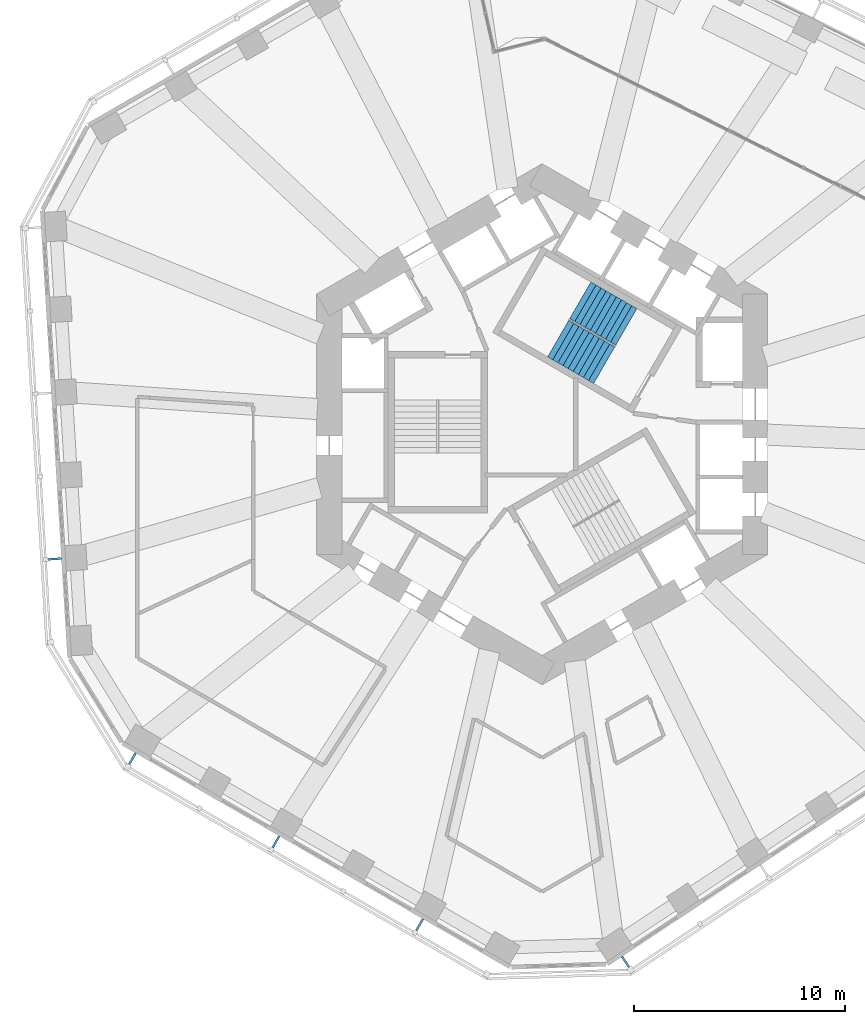
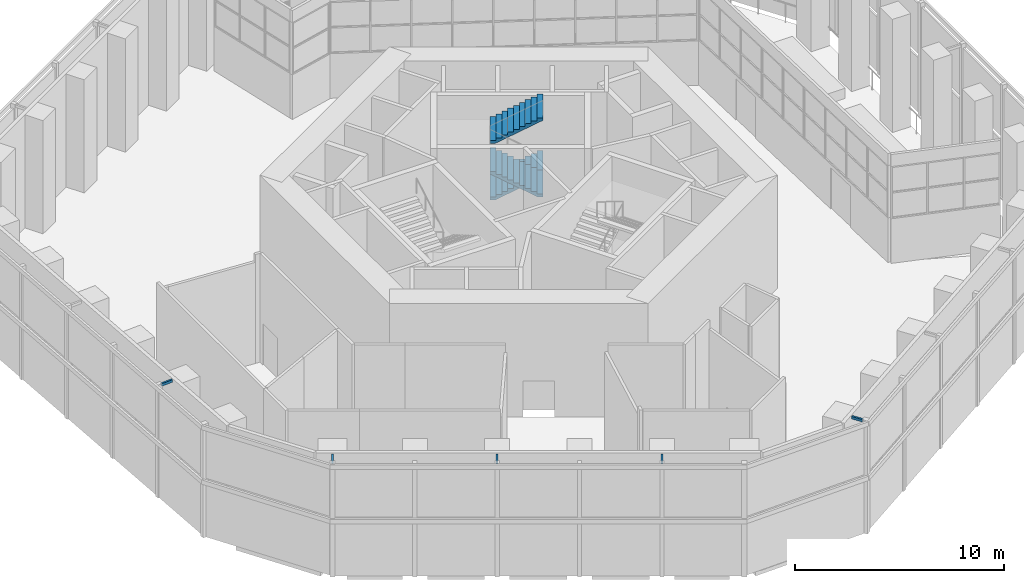
# One storey, part 13 of 17: 5 discrete accessories, 3 stair flights, 1 element without a shape of its own.
"""IFC4 building model written with IfcOpenShell, lengths in metres."""

from ifc_helpers import new_model, si_unit, direction, frame, origin, origin_2d, place, context, subcontext, project, spatial, rectangle, extrude, triangles, source, transform, mapped, material, type_object, element, aggregate, save


model = new_model("IFC4")

# Units and contexts
model_context = context("Model", 3, precision=1e-05, world=origin(), true_north=direction((0.0, 1.0)))
body_context = subcontext(model_context, "Body", "Model", "MODEL_VIEW")
ifc_project = project(units=[si_unit("LENGTHUNIT", "METRE"), si_unit("AREAUNIT", "SQUARE_METRE"), si_unit("VOLUMEUNIT", "CUBIC_METRE"), si_unit("PLANEANGLEUNIT", "RADIAN"), si_unit("MASSUNIT", "GRAM", prefix="KILO")], contexts=[model_context])

# Site, building, storey
site_placement = place(None, origin())
site = spatial("IfcSite", under=ifc_project, at=site_placement, CompositionType="ELEMENT")
building_placement = place(site_placement, origin())
building = spatial("IfcBuilding", under=site, at=building_placement, Name="Vanh Sen Convention Tower", CompositionType="ELEMENT")
storey_placement = place(building_placement, frame((0.0, 0.0, 77.0)))
storey = spatial("IfcBuildingStorey", under=building, at=storey_placement, Name="L17", CompositionType="ELEMENT", Elevation=77.0)

# Stair, stair flights
ifc_material_1 = material(Name="Concrete C50/60", Category="concrete")
stair_type = type_object("IfcStairType", Name="Exit stair ST1 40 risers at 165.0", PredefinedType="HALF_TURN_STAIR", material=ifc_material_1)
stair_placement = place(storey_placement, origin())
stair = element("IfcStair", 1, at=stair_placement, inside=storey, type_object=stair_type, Name="Exit stair ST1 L17", PredefinedType="HALF_TURN_STAIR")
ifc_material_2 = material(Name="Concrete C40/50", Category="concrete")
stair_flight_type = type_object("IfcStairFlightType", Name="Stair flight 2000", PredefinedType="STRAIGHT", material=ifc_material_2)
shared_shape = source(origin(), body_context, "Body", "Tessellation", [
    triangles([(0.24609375, 1.0, 0.0), (0.0, 1.0, 0.0), (0.0, 1.0, 0.1650390625), (0.280029296875, 1.0, 0.1650390625), (0.280029296875, 1.0, 0.330078125), (0.56005859375, 1.0, 0.330078125), (0.56005859375, 1.0, 0.4951171875), (0.840087890625, 1.0, 0.4951171875), (0.840087890625, 1.0, 0.659912109375), (1.1201171875, 1.0, 0.659912109375), (1.1201171875, 1.0, 0.824951171875), (1.39990234375, 1.0, 0.824951171875), (1.39990234375, 1.0, 0.989990234375), (1.679931640625, 1.0, 0.989990234375), (1.679931640625, 1.0, 1.155029296875), (1.9599609375, 1.0, 1.155029296875), (1.9599609375, 1.0, 1.320068359375), (2.239990234375, 1.0, 1.320068359375), (2.239990234375, 1.0, 1.485107421875), (2.52001953125, 1.0, 1.485107421875), (2.52001953125, 1.0, 1.33984375), (0.24609375, -1.0, 0.0), (0.0, -1.0, 0.0), (0.0, -1.0, 0.1650390625), (0.280029296875, -1.0, 0.1650390625), (0.280029296875, -1.0, 0.330078125), (0.56005859375, -1.0, 0.330078125), (0.56005859375, -1.0, 0.4951171875), (0.840087890625, -1.0, 0.4951171875), (0.840087890625, -1.0, 0.659912109375), (1.1201171875, -1.0, 0.659912109375), (1.1201171875, -1.0, 0.824951171875), (1.39990234375, -1.0, 0.824951171875), (1.39990234375, -1.0, 0.989990234375), (1.679931640625, -1.0, 0.989990234375), (1.679931640625, -1.0, 1.155029296875), (1.9599609375, -1.0, 1.155029296875), (1.9599609375, -1.0, 1.320068359375), (2.239990234375, -1.0, 1.320068359375), (2.239990234375, -1.0, 1.485107421875), (2.52001953125, -1.0, 1.485107421875), (2.52001953125, -1.0, 1.33984375), (0.0, 0.0400390625, 0.0), (0.0, 0.0390625, 0.0), (0.0, 0.0380859375, 0.0), (0.0, 0.037109375, 0.0), (0.0, 0.035888671875, 0.0), (0.0, 0.034912109375, 0.0), (0.0, 0.033935546875, 0.0), (0.0, 0.032958984375, 0.0), (0.0, 0.031982421875, 0.0), (0.0, 0.031005859375, 0.0), (0.0, 0.030029296875, 0.0), (0.0, 0.029052734375, 0.0), (0.0, 0.028076171875, 0.0), (0.0, 0.027099609375, 0.0), (0.0, 0.02587890625, 0.0), (0.0, 0.02490234375, 0.0), (0.0, 0.02392578125, 0.0), (0.0, 0.02294921875, 0.0), (0.0, 0.02197265625, 0.0), (0.0, 0.02099609375, 0.0), (0.0, 0.02001953125, 0.0), (0.0, 0.01904296875, 0.0), (0.0, 0.01806640625, 0.0), (0.0, 0.01708984375, 0.0), (0.0, 0.01611328125, 0.0), (0.0, 0.014892578125, 0.0), (0.0, 0.013916015625, 0.0), (0.0, 0.012939453125, 0.0), (0.0, 0.011962890625, 0.0), (0.0, 0.010986328125, 0.0), (0.0, 0.010009765625, 0.0), (0.0, 0.009033203125, 0.0), (0.0, 0.008056640625, 0.0), (0.0, 0.007080078125, 0.0), (0.0, 0.006103515625, 0.0), (0.0, 0.0048828125, 0.0), (0.0, 0.00390625, 0.0), (0.0, 0.0029296875, 0.0), (0.0, 0.001953125, 0.0), (0.0, 0.0009765625, 0.0), (0.0, 0.0, 0.0), (0.0, -0.0009765625, 0.0), (0.0, -0.001953125, 0.0), (0.0, -0.0029296875, 0.0), (0.0, -0.00390625, 0.0), (0.0, -0.0048828125, 0.0), (0.0, -0.006103515625, 0.0), (0.0, -0.007080078125, 0.0), (0.0, -0.008056640625, 0.0), (0.0, -0.009033203125, 0.0), (0.0, -0.010009765625, 0.0), (0.0, -0.010986328125, 0.0), (0.0, -0.011962890625, 0.0), (0.0, -0.012939453125, 0.0), (0.0, -0.013916015625, 0.0), (0.0, -0.014892578125, 0.0), (0.0, -0.01611328125, 0.0), (0.0, -0.01708984375, 0.0), (0.0, -0.01806640625, 0.0), (0.0, -0.01904296875, 0.0), (0.0, -0.02001953125, 0.0), (0.0, -0.02099609375, 0.0), (0.0, -0.02197265625, 0.0), (0.0, -0.02294921875, 0.0), (0.0, -0.02392578125, 0.0), (0.0, -0.02490234375, 0.0), (0.0, -0.02587890625, 0.0), (0.0, -0.027099609375, 0.0), (0.0, -0.028076171875, 0.0), (0.0, -0.029052734375, 0.0), (0.0, -0.030029296875, 0.0), (0.0, -0.031005859375, 0.0), (0.0, -0.031982421875, 0.0), (0.0, -0.032958984375, 0.0), (0.0, -0.033935546875, 0.0), (0.0, -0.034912109375, 0.0), (0.0, -0.035888671875, 0.0), (0.0, -0.037109375, 0.0), (0.0, -0.0380859375, 0.0), (0.0, -0.0390625, 0.0), (0.0, -0.0400390625, 0.0), (0.0, 0.0400390625, 0.1650390625), (0.0, 0.0390625, 0.1650390625), (0.0, 0.0380859375, 0.1650390625), (0.0, 0.037109375, 0.1650390625), (0.0, 0.035888671875, 0.1650390625), (0.0, 0.034912109375, 0.1650390625), (0.0, 0.033935546875, 0.1650390625), (0.0, 0.032958984375, 0.1650390625), (0.0, 0.031982421875, 0.1650390625), (0.0, 0.031005859375, 0.1650390625), (0.0, 0.030029296875, 0.1650390625), (0.0, 0.029052734375, 0.1650390625), (0.0, 0.028076171875, 0.1650390625), (0.0, 0.027099609375, 0.1650390625), (0.0, 0.02587890625, 0.1650390625), (0.0, 0.02490234375, 0.1650390625), (0.0, 0.02392578125, 0.1650390625), (0.0, 0.02294921875, 0.1650390625), (0.0, 0.02197265625, 0.1650390625), (0.0, 0.02099609375, 0.1650390625), (0.0, 0.02001953125, 0.1650390625), (0.0, 0.01904296875, 0.1650390625), (0.0, 0.01806640625, 0.1650390625), (0.0, 0.01708984375, 0.1650390625), (0.0, 0.01611328125, 0.1650390625), (0.0, 0.014892578125, 0.1650390625), (0.0, 0.013916015625, 0.1650390625), (0.0, 0.012939453125, 0.1650390625), (0.0, 0.011962890625, 0.1650390625), (0.0, 0.010986328125, 0.1650390625), (0.0, 0.010009765625, 0.1650390625), (0.0, 0.009033203125, 0.1650390625), (0.0, 0.008056640625, 0.1650390625), (0.0, 0.007080078125, 0.1650390625), (0.0, 0.006103515625, 0.1650390625), (0.0, 0.0048828125, 0.1650390625), (0.0, 0.00390625, 0.1650390625), (0.0, 0.0029296875, 0.1650390625), (0.0, 0.001953125, 0.1650390625), (0.0, 0.0009765625, 0.1650390625), (0.0, 0.0, 0.1650390625), (0.0, -0.0009765625, 0.1650390625), (0.0, -0.001953125, 0.1650390625), (0.0, -0.0029296875, 0.1650390625), (0.0, -0.00390625, 0.1650390625), (0.0, -0.0048828125, 0.1650390625), (0.0, -0.006103515625, 0.1650390625), (0.0, -0.007080078125, 0.1650390625), (0.0, -0.008056640625, 0.1650390625), (0.0, -0.009033203125, 0.1650390625), (0.0, -0.010009765625, 0.1650390625), (0.0, -0.010986328125, 0.1650390625), (0.0, -0.011962890625, 0.1650390625), (0.0, -0.012939453125, 0.1650390625), (0.0, -0.013916015625, 0.1650390625), (0.0, -0.014892578125, 0.1650390625), (0.0, -0.01611328125, 0.1650390625), (0.0, -0.01708984375, 0.1650390625), (0.0, -0.01806640625, 0.1650390625), (0.0, -0.01904296875, 0.1650390625), (0.0, -0.02001953125, 0.1650390625), (0.0, -0.02099609375, 0.1650390625), (0.0, -0.02197265625, 0.1650390625), (0.0, -0.02294921875, 0.1650390625), (0.0, -0.02392578125, 0.1650390625), (0.0, -0.02490234375, 0.1650390625), (0.0, -0.02587890625, 0.1650390625), (0.0, -0.027099609375, 0.1650390625), (0.0, -0.028076171875, 0.1650390625), (0.0, -0.029052734375, 0.1650390625), (0.0, -0.030029296875, 0.1650390625), (0.0, -0.031005859375, 0.1650390625), (0.0, -0.031982421875, 0.1650390625), (0.0, -0.032958984375, 0.1650390625), (0.0, -0.033935546875, 0.1650390625), (0.0, -0.034912109375, 0.1650390625), (0.0, -0.035888671875, 0.1650390625), (0.0, -0.037109375, 0.1650390625), (0.0, -0.0380859375, 0.1650390625), (0.0, -0.0390625, 0.1650390625), (0.0, -0.0400390625, 0.1650390625), (0.280029296875, 0.0, 0.1650390625), (0.280029296875, 0.0, 0.330078125), (0.56005859375, 0.0, 0.330078125), (0.56005859375, 0.0, 0.4951171875), (0.840087890625, 0.0, 0.4951171875), (0.840087890625, 0.0, 0.659912109375), (1.1201171875, 0.0, 0.659912109375), (1.1201171875, 0.0, 0.824951171875), (1.39990234375, 0.0, 0.824951171875), (1.39990234375, 0.0, 0.989990234375), (1.679931640625, 0.0, 0.989990234375), (1.679931640625, 0.0, 1.155029296875), (1.9599609375, 0.0, 1.155029296875), (1.9599609375, 0.0, 1.320068359375), (2.239990234375, 0.0, 1.320068359375), (2.239990234375, 0.0, 1.485107421875), (2.52001953125, 0.0400390625, 1.485107421875), (2.52001953125, 0.0390625, 1.485107421875), (2.52001953125, 0.0380859375, 1.485107421875), (2.52001953125, 0.037109375, 1.485107421875), (2.52001953125, 0.035888671875, 1.485107421875), (2.52001953125, 0.034912109375, 1.485107421875), (2.52001953125, 0.033935546875, 1.485107421875), (2.52001953125, 0.032958984375, 1.485107421875), (2.52001953125, 0.031982421875, 1.485107421875), (2.52001953125, 0.031005859375, 1.485107421875), (2.52001953125, 0.030029296875, 1.485107421875), (2.52001953125, 0.029052734375, 1.485107421875), (2.52001953125, 0.028076171875, 1.485107421875), (2.52001953125, 0.027099609375, 1.485107421875), (2.52001953125, 0.02587890625, 1.485107421875), (2.52001953125, 0.02490234375, 1.485107421875), (2.52001953125, 0.02392578125, 1.485107421875), (2.52001953125, 0.02294921875, 1.485107421875), (2.52001953125, 0.02197265625, 1.485107421875), (2.52001953125, 0.02099609375, 1.485107421875), (2.52001953125, 0.02001953125, 1.485107421875), (2.52001953125, 0.01904296875, 1.485107421875), (2.52001953125, 0.01806640625, 1.485107421875), (2.52001953125, 0.01708984375, 1.485107421875), (2.52001953125, 0.01611328125, 1.485107421875), (2.52001953125, 0.014892578125, 1.485107421875), (2.52001953125, 0.013916015625, 1.485107421875), (2.52001953125, 0.012939453125, 1.485107421875), (2.52001953125, 0.011962890625, 1.485107421875), (2.52001953125, 0.010986328125, 1.485107421875), (2.52001953125, 0.010009765625, 1.485107421875), (2.52001953125, 0.009033203125, 1.485107421875), (2.52001953125, 0.008056640625, 1.485107421875), (2.52001953125, 0.007080078125, 1.485107421875), (2.52001953125, 0.006103515625, 1.485107421875), (2.52001953125, 0.0048828125, 1.485107421875), (2.52001953125, 0.00390625, 1.485107421875), (2.52001953125, 0.0029296875, 1.485107421875), (2.52001953125, 0.001953125, 1.485107421875), (2.52001953125, 0.0009765625, 1.485107421875), (2.52001953125, 0.0, 1.485107421875), (2.52001953125, -0.0009765625, 1.485107421875), (2.52001953125, -0.001953125, 1.485107421875), (2.52001953125, -0.0029296875, 1.485107421875), (2.52001953125, -0.00390625, 1.485107421875), (2.52001953125, -0.0048828125, 1.485107421875), (2.52001953125, -0.006103515625, 1.485107421875), (2.52001953125, -0.007080078125, 1.485107421875), (2.52001953125, -0.008056640625, 1.485107421875), (2.52001953125, -0.009033203125, 1.485107421875), (2.52001953125, -0.010009765625, 1.485107421875), (2.52001953125, -0.010986328125, 1.485107421875), (2.52001953125, -0.011962890625, 1.485107421875), (2.52001953125, -0.012939453125, 1.485107421875), (2.52001953125, -0.013916015625, 1.485107421875), (2.52001953125, -0.014892578125, 1.485107421875), (2.52001953125, -0.01611328125, 1.485107421875), (2.52001953125, -0.01708984375, 1.485107421875), (2.52001953125, -0.01806640625, 1.485107421875), (2.52001953125, -0.01904296875, 1.485107421875), (2.52001953125, -0.02001953125, 1.485107421875), (2.52001953125, -0.02099609375, 1.485107421875), (2.52001953125, -0.02197265625, 1.485107421875), (2.52001953125, -0.02294921875, 1.485107421875), (2.52001953125, -0.02392578125, 1.485107421875), (2.52001953125, -0.02490234375, 1.485107421875), (2.52001953125, -0.02587890625, 1.485107421875), (2.52001953125, -0.027099609375, 1.485107421875), (2.52001953125, -0.028076171875, 1.485107421875), (2.52001953125, -0.029052734375, 1.485107421875), (2.52001953125, -0.030029296875, 1.485107421875), (2.52001953125, -0.031005859375, 1.485107421875), (2.52001953125, -0.031982421875, 1.485107421875), (2.52001953125, -0.032958984375, 1.485107421875), (2.52001953125, -0.033935546875, 1.485107421875), (2.52001953125, -0.034912109375, 1.485107421875), (2.52001953125, -0.035888671875, 1.485107421875), (2.52001953125, -0.037109375, 1.485107421875), (2.52001953125, -0.0380859375, 1.485107421875), (2.52001953125, -0.0390625, 1.485107421875), (2.52001953125, -0.0400390625, 1.485107421875), (2.52001953125, 0.0400390625, 1.33984375), (2.52001953125, 0.0390625, 1.33984375), (2.52001953125, 0.0380859375, 1.33984375), (2.52001953125, 0.037109375, 1.33984375), (2.52001953125, 0.035888671875, 1.33984375), (2.52001953125, 0.034912109375, 1.33984375), (2.52001953125, 0.033935546875, 1.33984375), (2.52001953125, 0.032958984375, 1.33984375), (2.52001953125, 0.031982421875, 1.33984375), (2.52001953125, 0.031005859375, 1.33984375), (2.52001953125, 0.030029296875, 1.33984375), (2.52001953125, 0.029052734375, 1.33984375), (2.52001953125, 0.028076171875, 1.33984375), (2.52001953125, 0.027099609375, 1.33984375), (2.52001953125, 0.02587890625, 1.33984375), (2.52001953125, 0.02490234375, 1.33984375), (2.52001953125, 0.02392578125, 1.33984375), (2.52001953125, 0.02294921875, 1.33984375), (2.52001953125, 0.02197265625, 1.33984375), (2.52001953125, 0.02099609375, 1.33984375), (2.52001953125, 0.02001953125, 1.33984375), (2.52001953125, 0.01904296875, 1.33984375), (2.52001953125, 0.01806640625, 1.33984375), (2.52001953125, 0.01708984375, 1.33984375), (2.52001953125, 0.01611328125, 1.33984375), (2.52001953125, 0.014892578125, 1.33984375), (2.52001953125, 0.013916015625, 1.33984375), (2.52001953125, 0.012939453125, 1.33984375), (2.52001953125, 0.011962890625, 1.33984375), (2.52001953125, 0.010986328125, 1.33984375), (2.52001953125, 0.010009765625, 1.33984375), (2.52001953125, 0.009033203125, 1.33984375), (2.52001953125, 0.008056640625, 1.33984375), (2.52001953125, 0.007080078125, 1.33984375), (2.52001953125, 0.006103515625, 1.33984375), (2.52001953125, 0.0048828125, 1.33984375), (2.52001953125, 0.00390625, 1.33984375), (2.52001953125, 0.0029296875, 1.33984375), (2.52001953125, 0.001953125, 1.33984375), (2.52001953125, 0.0009765625, 1.33984375), (2.52001953125, 0.0, 1.33984375), (2.52001953125, -0.0009765625, 1.33984375), (2.52001953125, -0.001953125, 1.33984375), (2.52001953125, -0.0029296875, 1.33984375), (2.52001953125, -0.00390625, 1.33984375), (2.52001953125, -0.0048828125, 1.33984375), (2.52001953125, -0.006103515625, 1.33984375), (2.52001953125, -0.007080078125, 1.33984375), (2.52001953125, -0.008056640625, 1.33984375), (2.52001953125, -0.009033203125, 1.33984375), (2.52001953125, -0.010009765625, 1.33984375), (2.52001953125, -0.010986328125, 1.33984375), (2.52001953125, -0.011962890625, 1.33984375), (2.52001953125, -0.012939453125, 1.33984375), (2.52001953125, -0.013916015625, 1.33984375), (2.52001953125, -0.014892578125, 1.33984375), (2.52001953125, -0.01611328125, 1.33984375), (2.52001953125, -0.01708984375, 1.33984375), (2.52001953125, -0.01806640625, 1.33984375), (2.52001953125, -0.01904296875, 1.33984375), (2.52001953125, -0.02001953125, 1.33984375), (2.52001953125, -0.02099609375, 1.33984375), (2.52001953125, -0.02197265625, 1.33984375), (2.52001953125, -0.02294921875, 1.33984375), (2.52001953125, -0.02392578125, 1.33984375), (2.52001953125, -0.02490234375, 1.33984375), (2.52001953125, -0.02587890625, 1.33984375), (2.52001953125, -0.027099609375, 1.33984375), (2.52001953125, -0.028076171875, 1.33984375), (2.52001953125, -0.029052734375, 1.33984375), (2.52001953125, -0.030029296875, 1.33984375), (2.52001953125, -0.031005859375, 1.33984375), (2.52001953125, -0.031982421875, 1.33984375), (2.52001953125, -0.032958984375, 1.33984375), (2.52001953125, -0.033935546875, 1.33984375), (2.52001953125, -0.034912109375, 1.33984375), (2.52001953125, -0.035888671875, 1.33984375), (2.52001953125, -0.037109375, 1.33984375), (2.52001953125, -0.0380859375, 1.33984375), (2.52001953125, -0.0390625, 1.33984375), (2.52001953125, -0.0400390625, 1.33984375), (0.24609375, 0.0, 0.0)], [[1, 2, 3], [1, 3, 4], [4, 5, 6], [1, 4, 6], [6, 7, 8], [1, 6, 8], [8, 9, 10], [1, 8, 10], [10, 11, 12], [1, 10, 12], [12, 13, 14], [1, 12, 14], [14, 15, 16], [1, 14, 16], [16, 17, 18], [1, 16, 18], [18, 19, 20], [1, 18, 20], [20, 21, 1], [22, 24, 23], [22, 25, 24], [25, 27, 26], [22, 27, 25], [27, 29, 28], [22, 29, 27], [29, 31, 30], [22, 31, 29], [31, 33, 32], [22, 33, 31], [33, 35, 34], [22, 35, 33], [35, 37, 36], [22, 37, 35], [37, 39, 38], [22, 39, 37], [39, 41, 40], [22, 41, 39], [41, 22, 42], [2, 124, 3], [2, 43, 124], [43, 125, 124], [43, 44, 125], [44, 126, 125], [44, 45, 126], [45, 127, 126], [45, 46, 127], [46, 128, 127], [46, 47, 128], [47, 129, 128], [47, 48, 129], [48, 130, 129], [48, 49, 130], [49, 131, 130], [49, 50, 131], [50, 132, 131], [50, 51, 132], [51, 133, 132], [51, 52, 133], [52, 134, 133], [52, 53, 134], [53, 135, 134], [53, 54, 135], [54, 136, 135], [54, 55, 136], [55, 137, 136], [55, 56, 137], [56, 138, 137], [56, 57, 138], [57, 139, 138], [57, 58, 139], [58, 140, 139], [58, 59, 140], [59, 141, 140], [59, 60, 141], [60, 142, 141], [60, 61, 142], [61, 143, 142], [61, 62, 143], [62, 144, 143], [62, 63, 144], [63, 145, 144], [63, 64, 145], [64, 146, 145], [64, 65, 146], [65, 147, 146], [65, 66, 147], [66, 148, 147], [66, 67, 148], [67, 149, 148], [67, 68, 149], [68, 150, 149], [68, 69, 150], [69, 151, 150], [69, 70, 151], [70, 152, 151], [70, 71, 152], [71, 153, 152], [71, 72, 153], [72, 154, 153], [72, 73, 154], [73, 155, 154], [73, 74, 155], [74, 156, 155], [74, 75, 156], [75, 157, 156], [75, 76, 157], [76, 158, 157], [76, 77, 158], [77, 159, 158], [77, 78, 159], [78, 160, 159], [78, 79, 160], [79, 161, 160], [79, 80, 161], [80, 162, 161], [80, 81, 162], [81, 163, 162], [81, 82, 163], [82, 164, 163], [82, 83, 164], [83, 84, 164], [164, 84, 165], [84, 85, 165], [165, 85, 166], [85, 86, 166], [166, 86, 167], [86, 87, 167], [167, 87, 168], [87, 88, 168], [168, 88, 169], [88, 89, 169], [169, 89, 170], [89, 90, 170], [170, 90, 171], [90, 91, 171], [171, 91, 172], [91, 92, 172], [172, 92, 173], [92, 93, 173], [173, 93, 174], [93, 94, 174], [174, 94, 175], [94, 95, 175], [175, 95, 176], [95, 96, 176], [176, 96, 177], [96, 97, 177], [177, 97, 178], [97, 98, 178], [178, 98, 179], [98, 99, 179], [179, 99, 180], [99, 100, 180], [180, 100, 181], [100, 101, 181], [181, 101, 182], [101, 102, 182], [182, 102, 183], [102, 103, 183], [183, 103, 184], [103, 104, 184], [184, 104, 185], [104, 105, 185], [185, 105, 186], [105, 106, 186], [186, 106, 187], [106, 107, 187], [187, 107, 188], [107, 108, 188], [188, 108, 189], [108, 109, 189], [189, 109, 190], [109, 110, 190], [190, 110, 191], [110, 111, 191], [191, 111, 192], [111, 112, 192], [192, 112, 193], [112, 113, 193], [193, 113, 194], [113, 114, 194], [194, 114, 195], [114, 115, 195], [195, 115, 196], [115, 116, 196], [196, 116, 197], [116, 117, 197], [197, 117, 198], [117, 118, 198], [198, 118, 199], [118, 119, 199], [199, 119, 200], [119, 120, 200], [200, 120, 201], [120, 121, 201], [201, 121, 202], [121, 122, 202], [202, 122, 203], [122, 123, 203], [203, 123, 204], [123, 23, 204], [204, 23, 24], [4, 3, 124], [4, 124, 125], [4, 125, 126], [4, 126, 127], [4, 127, 128], [4, 128, 129], [4, 129, 130], [4, 130, 131], [4, 131, 132], [4, 132, 133], [4, 133, 134], [4, 134, 135], [4, 135, 136], [4, 136, 137], [4, 137, 138], [4, 138, 139], [4, 139, 140], [4, 140, 141], [4, 141, 142], [4, 142, 143], [4, 143, 144], [4, 144, 145], [4, 145, 146], [4, 146, 147], [4, 147, 148], [4, 148, 149], [4, 149, 150], [4, 150, 151], [4, 151, 152], [4, 152, 153], [4, 153, 154], [4, 154, 155], [4, 155, 156], [4, 156, 157], [4, 157, 158], [4, 158, 159], [4, 159, 160], [4, 160, 161], [4, 161, 162], [4, 162, 163], [4, 163, 164], [25, 164, 165], [25, 165, 166], [25, 166, 167], [25, 167, 168], [25, 168, 169], [25, 169, 170], [25, 170, 171], [25, 171, 172], [25, 172, 173], [25, 173, 174], [25, 174, 175], [25, 175, 176], [25, 176, 177], [25, 177, 178], [25, 178, 179], [25, 179, 180], [25, 180, 181], [25, 181, 182], [25, 182, 183], [25, 183, 184], [25, 184, 185], [25, 185, 186], [25, 186, 187], [25, 187, 188], [25, 188, 189], [25, 189, 190], [25, 190, 191], [25, 191, 192], [25, 192, 193], [25, 193, 194], [25, 194, 195], [25, 195, 196], [25, 196, 197], [25, 197, 198], [25, 198, 199], [25, 199, 200], [25, 200, 201], [25, 201, 202], [25, 202, 203], [25, 203, 204], [25, 204, 24], [4, 164, 205], [25, 205, 164], [4, 206, 5], [4, 205, 206], [205, 25, 206], [206, 25, 26], [5, 207, 6], [5, 206, 207], [206, 26, 207], [207, 26, 27], [6, 208, 7], [6, 207, 208], [207, 27, 208], [208, 27, 28], [7, 209, 8], [7, 208, 209], [208, 28, 209], [209, 28, 29], [8, 210, 9], [8, 209, 210], [209, 29, 210], [210, 29, 30], [9, 211, 10], [9, 210, 211], [210, 30, 211], [211, 30, 31], [10, 212, 11], [10, 211, 212], [211, 31, 212], [212, 31, 32], [11, 213, 12], [11, 212, 213], [212, 32, 213], [213, 32, 33], [12, 214, 13], [12, 213, 214], [213, 33, 214], [214, 33, 34], [13, 215, 14], [13, 214, 215], [214, 34, 215], [215, 34, 35], [14, 216, 15], [14, 215, 216], [215, 35, 216], [216, 35, 36], [15, 217, 16], [15, 216, 217], [216, 36, 217], [217, 36, 37], [16, 218, 17], [16, 217, 218], [217, 37, 218], [218, 37, 38], [17, 219, 18], [17, 218, 219], [218, 38, 219], [219, 38, 39], [18, 220, 19], [18, 219, 220], [219, 39, 220], [220, 39, 40], [19, 221, 20], [19, 222, 221], [19, 223, 222], [19, 224, 223], [19, 225, 224], [19, 226, 225], [19, 227, 226], [19, 228, 227], [19, 229, 228], [19, 230, 229], [19, 231, 230], [19, 232, 231], [19, 233, 232], [19, 234, 233], [19, 235, 234], [19, 236, 235], [19, 237, 236], [19, 238, 237], [19, 239, 238], [19, 240, 239], [19, 241, 240], [19, 242, 241], [19, 243, 242], [19, 244, 243], [19, 245, 244], [19, 246, 245], [19, 247, 246], [19, 248, 247], [19, 249, 248], [19, 250, 249], [19, 251, 250], [19, 252, 251], [19, 253, 252], [19, 254, 253], [19, 255, 254], [19, 256, 255], [19, 257, 256], [19, 258, 257], [19, 259, 258], [19, 260, 259], [19, 261, 260], [40, 262, 261], [40, 263, 262], [40, 264, 263], [40, 265, 264], [40, 266, 265], [40, 267, 266], [40, 268, 267], [40, 269, 268], [40, 270, 269], [40, 271, 270], [40, 272, 271], [40, 273, 272], [40, 274, 273], [40, 275, 274], [40, 276, 275], [40, 277, 276], [40, 278, 277], [40, 279, 278], [40, 280, 279], [40, 281, 280], [40, 282, 281], [40, 283, 282], [40, 284, 283], [40, 285, 284], [40, 286, 285], [40, 287, 286], [40, 288, 287], [40, 289, 288], [40, 290, 289], [40, 291, 290], [40, 292, 291], [40, 293, 292], [40, 294, 293], [40, 295, 294], [40, 296, 295], [40, 297, 296], [40, 298, 297], [40, 299, 298], [40, 300, 299], [40, 301, 300], [40, 41, 301], [19, 220, 261], [40, 261, 220], [20, 302, 21], [20, 221, 302], [221, 303, 302], [221, 222, 303], [222, 304, 303], [222, 223, 304], [223, 305, 304], [223, 224, 305], [224, 306, 305], [224, 225, 306], [225, 307, 306], [225, 226, 307], [226, 308, 307], [226, 227, 308], [227, 309, 308], [227, 228, 309], [228, 310, 309], [228, 229, 310], [229, 311, 310], [229, 230, 311], [230, 312, 311], [230, 231, 312], [231, 313, 312], [231, 232, 313], [232, 314, 313], [232, 233, 314], [233, 315, 314], [233, 234, 315], [234, 316, 315], [234, 235, 316], [235, 317, 316], [235, 236, 317], [236, 318, 317], [236, 237, 318], [237, 319, 318], [237, 238, 319], [238, 320, 319], [238, 239, 320], [239, 321, 320], [239, 240, 321], [240, 322, 321], [240, 241, 322], [241, 323, 322], [241, 242, 323], [242, 324, 323], [242, 243, 324], [243, 325, 324], [243, 244, 325], [244, 326, 325], [244, 245, 326], [245, 327, 326], [245, 246, 327], [246, 328, 327], [246, 247, 328], [247, 329, 328], [247, 248, 329], [248, 330, 329], [248, 249, 330], [249, 331, 330], [249, 250, 331], [250, 332, 331], [250, 251, 332], [251, 333, 332], [251, 252, 333], [252, 334, 333], [252, 253, 334], [253, 335, 334], [253, 254, 335], [254, 336, 335], [254, 255, 336], [255, 337, 336], [255, 256, 337], [256, 338, 337], [256, 257, 338], [257, 339, 338], [257, 258, 339], [258, 340, 339], [258, 259, 340], [259, 341, 340], [259, 260, 341], [260, 342, 341], [260, 261, 342], [261, 262, 342], [342, 262, 343], [262, 263, 343], [343, 263, 344], [263, 264, 344], [344, 264, 345], [264, 265, 345], [345, 265, 346], [265, 266, 346], [346, 266, 347], [266, 267, 347], [347, 267, 348], [267, 268, 348], [348, 268, 349], [268, 269, 349], [349, 269, 350], [269, 270, 350], [350, 270, 351], [270, 271, 351], [351, 271, 352], [271, 272, 352], [352, 272, 353], [272, 273, 353], [353, 273, 354], [273, 274, 354], [354, 274, 355], [274, 275, 355], [355, 275, 356], [275, 276, 356], [356, 276, 357], [276, 277, 357], [357, 277, 358], [277, 278, 358], [358, 278, 359], [278, 279, 359], [359, 279, 360], [279, 280, 360], [360, 280, 361], [280, 281, 361], [361, 281, 362], [281, 282, 362], [362, 282, 363], [282, 283, 363], [363, 283, 364], [283, 284, 364], [364, 284, 365], [284, 285, 365], [365, 285, 366], [285, 286, 366], [366, 286, 367], [286, 287, 367], [367, 287, 368], [287, 288, 368], [368, 288, 369], [288, 289, 369], [369, 289, 370], [289, 290, 370], [370, 290, 371], [290, 291, 371], [371, 291, 372], [291, 292, 372], [372, 292, 373], [292, 293, 373], [373, 293, 374], [293, 294, 374], [374, 294, 375], [294, 295, 375], [375, 295, 376], [295, 296, 376], [376, 296, 377], [296, 297, 377], [377, 297, 378], [297, 298, 378], [378, 298, 379], [298, 299, 379], [379, 299, 380], [299, 300, 380], [380, 300, 381], [300, 301, 381], [381, 301, 382], [301, 41, 382], [382, 41, 42], [1, 21, 302], [1, 302, 303], [1, 303, 304], [1, 304, 305], [1, 305, 306], [1, 306, 307], [1, 307, 308], [1, 308, 309], [1, 309, 310], [1, 310, 311], [1, 311, 312], [1, 312, 313], [1, 313, 314], [1, 314, 315], [1, 315, 316], [1, 316, 317], [1, 317, 318], [1, 318, 319], [1, 319, 320], [1, 320, 321], [1, 321, 322], [1, 322, 323], [1, 323, 324], [1, 324, 325], [1, 325, 326], [1, 326, 327], [1, 327, 328], [1, 328, 329], [1, 329, 330], [1, 330, 331], [1, 331, 332], [1, 332, 333], [1, 333, 334], [1, 334, 335], [1, 335, 336], [1, 336, 337], [1, 337, 338], [1, 338, 339], [1, 339, 340], [1, 340, 341], [1, 341, 342], [22, 342, 343], [22, 343, 344], [22, 344, 345], [22, 345, 346], [22, 346, 347], [22, 347, 348], [22, 348, 349], [22, 349, 350], [22, 350, 351], [22, 351, 352], [22, 352, 353], [22, 353, 354], [22, 354, 355], [22, 355, 356], [22, 356, 357], [22, 357, 358], [22, 358, 359], [22, 359, 360], [22, 360, 361], [22, 361, 362], [22, 362, 363], [22, 363, 364], [22, 364, 365], [22, 365, 366], [22, 366, 367], [22, 367, 368], [22, 368, 369], [22, 369, 370], [22, 370, 371], [22, 371, 372], [22, 372, 373], [22, 373, 374], [22, 374, 375], [22, 375, 376], [22, 376, 377], [22, 377, 378], [22, 378, 379], [22, 379, 380], [22, 380, 381], [22, 381, 382], [22, 382, 42], [1, 342, 383], [22, 383, 342], [1, 43, 2], [1, 44, 43], [1, 45, 44], [1, 46, 45], [1, 47, 46], [1, 48, 47], [1, 49, 48], [1, 50, 49], [1, 51, 50], [1, 52, 51], [1, 53, 52], [1, 54, 53], [1, 55, 54], [1, 56, 55], [1, 57, 56], [1, 58, 57], [1, 59, 58], [1, 60, 59], [1, 61, 60], [1, 62, 61], [1, 63, 62], [1, 64, 63], [1, 65, 64], [1, 66, 65], [1, 67, 66], [1, 68, 67], [1, 69, 68], [1, 70, 69], [1, 71, 70], [1, 72, 71], [1, 73, 72], [1, 74, 73], [1, 75, 74], [1, 76, 75], [1, 77, 76], [1, 78, 77], [1, 79, 78], [1, 80, 79], [1, 81, 80], [1, 82, 81], [1, 83, 82], [22, 84, 83], [22, 85, 84], [22, 86, 85], [22, 87, 86], [22, 88, 87], [22, 89, 88], [22, 90, 89], [22, 91, 90], [22, 92, 91], [22, 93, 92], [22, 94, 93], [22, 95, 94], [22, 96, 95], [22, 97, 96], [22, 98, 97], [22, 99, 98], [22, 100, 99], [22, 101, 100], [22, 102, 101], [22, 103, 102], [22, 104, 103], [22, 105, 104], [22, 106, 105], [22, 107, 106], [22, 108, 107], [22, 109, 108], [22, 110, 109], [22, 111, 110], [22, 112, 111], [22, 113, 112], [22, 114, 113], [22, 115, 114], [22, 116, 115], [22, 117, 116], [22, 118, 117], [22, 119, 118], [22, 120, 119], [22, 121, 120], [22, 122, 121], [22, 123, 122], [22, 23, 123], [1, 383, 83], [22, 83, 383]], closed=True),
])
stair_flight_1_placement = place(storey_placement, frame((1.8134765625, 5.881103515625, 1.64990234375), z_axis=(0.0, 0.0, 1.0), x_axis=(0.866025403784, -0.5, 0.0)))
stair_flight_1 = element("IfcStairFlight", 2, at=stair_flight_1_placement, type_object=stair_flight_type, Name="ST1 flight 2", NumberOfRisers=10, NumberOfTreads=9, PredefinedType="STRAIGHT", RiserHeight=0.165, TreadLength=0.28, context=body_context, shape_type="MappedRepresentation", body=[
    mapped(shared_shape, transform((0.0, 0.0, 0.0))),
])
stair_flight_2_placement = place(storey_placement, frame((2.94580078125, 2.802490234375, 3.300048828125), z_axis=(0.0, 0.0, 1.0), x_axis=(-0.866025403784, 0.5, 0.0)))
stair_flight_2 = element("IfcStairFlight", 3, at=stair_flight_2_placement, type_object=stair_flight_type, Name="ST1 flight 3", NumberOfRisers=10, NumberOfTreads=9, PredefinedType="STRAIGHT", RiserHeight=0.165, TreadLength=0.28, context=body_context, shape_type="MappedRepresentation", body=[
    mapped(shared_shape, transform((0.0, 0.0, 0.0))),
])
stair_flight_3_placement = place(storey_placement, frame((1.8134765625, 5.881103515625, 4.949951171875), z_axis=(0.0, 0.0, 1.0), x_axis=(0.866025403784, -0.5, 0.0)))
stair_flight_3 = element("IfcStairFlight", 4, at=stair_flight_3_placement, type_object=stair_flight_type, Name="ST1 flight 4", NumberOfRisers=10, NumberOfTreads=9, PredefinedType="STRAIGHT", RiserHeight=0.165, TreadLength=0.28, context=body_context, shape_type="MappedRepresentation", body=[
    mapped(shared_shape, transform((0.0, 0.0, 0.0))),
])
aggregate(stair, [stair_flight_1, stair_flight_2, stair_flight_3])

# Discrete accessories
ifc_material_3 = material(Name="Steel S355", Category="steel")
discrete_accessory_type = type_object("IfcDiscreteAccessoryType", Name="Fin bracket 100 x 150", PredefinedType="BRACKET", material=ifc_material_3)
discrete_accessory_1_placement = place(storey_placement, frame((-23.115478515625, -6.3876953125, 6.400146484375), z_axis=(0.0, 0.0, 1.0), x_axis=(-0.998134798422, -0.061048539535, 0.0)))
element("IfcDiscreteAccessory", 5, at=discrete_accessory_1_placement, inside=storey, type_object=discrete_accessory_type, Name="Fin bracket W-5 L17", PredefinedType="BRACKET", context=body_context, shape_type="SweptSolid", body=[
    extrude(rectangle(XDim=0.625, YDim=0.10009765625, at=origin_2d()), origin(), (0.0, 0.0, 1.0), 0.14990234375),
])
discrete_accessory_2_placement = place(storey_placement, frame((-19.431884765625, -15.858642578125, 6.400146484375), z_axis=(0.0, 0.0, 1.0), x_axis=(-0.5, -0.866025403784, 0.0)))
element("IfcDiscreteAccessory", 6, at=discrete_accessory_2_placement, inside=storey, type_object=discrete_accessory_type, Name="Fin bracket SW-1 L17", PredefinedType="BRACKET", context=body_context, shape_type="SweptSolid", body=[
    extrude(rectangle(XDim=0.60009765625, YDim=0.10009765625, at=origin_2d()), origin(), (0.0, 0.0, 1.0), 0.14990234375),
])
for number, where, z_axis, x_axis, name in (
    (7, (-12.623291015625, -19.80419921875, 6.400146484375), (0.0, 0.0, 1.0), (-0.5, -0.866025403784, 0.0), "Fin bracket SW-3 L17"),
    (8, (-5.808349609375, -23.73876953125, 6.400146484375), (0.0, 0.0, 1.0), (-0.5, -0.866025403784, 0.0), "Fin bracket SW-5 L17"),
):
    element("IfcDiscreteAccessory", number, at=place(storey_placement, frame(where, z_axis=z_axis, x_axis=x_axis)), inside=storey, type_object=discrete_accessory_type, Name=name, PredefinedType="BRACKET", context=body_context, shape_type="SweptSolid", body=[
        extrude(rectangle(XDim=0.625, YDim=0.10009765625, at=origin_2d()), origin(), (0.0, 0.0, 1.0), 0.14990234375),
    ])
discrete_accessory_3_placement = place(storey_placement, frame((3.958740234375, -25.5009765625, 6.400146484375), z_axis=(0.0, 0.0, 1.0), x_axis=(0.551936985312, -0.833885822067, 0.0)))
element("IfcDiscreteAccessory", 9, at=discrete_accessory_3_placement, inside=storey, type_object=discrete_accessory_type, Name="Fin bracket SE-1 L17", PredefinedType="BRACKET", context=body_context, shape_type="SweptSolid", body=[
    extrude(rectangle(XDim=0.60009765625, YDim=0.10009765625, at=origin_2d()), origin(), (0.0, 0.0, 1.0), 0.14990234375),
])

save(model, "model.ifc")
